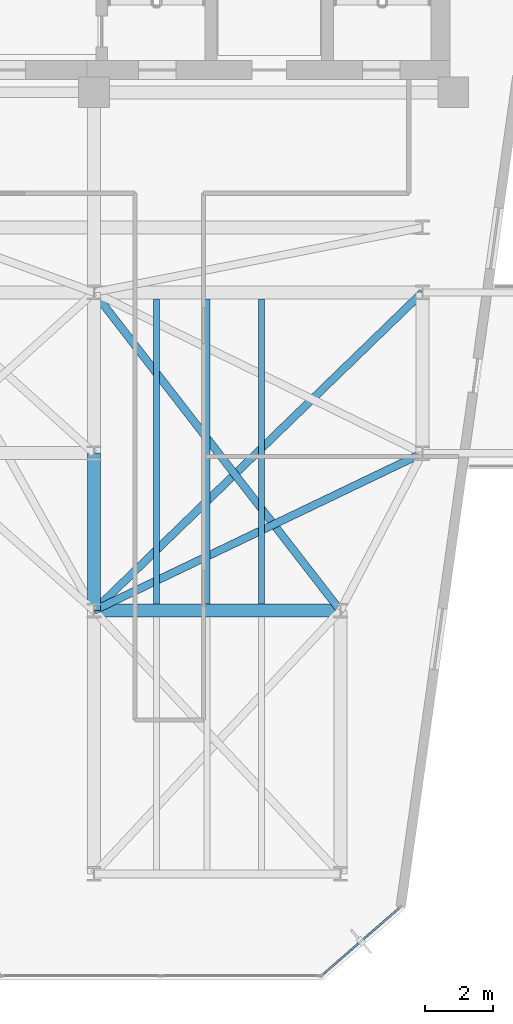
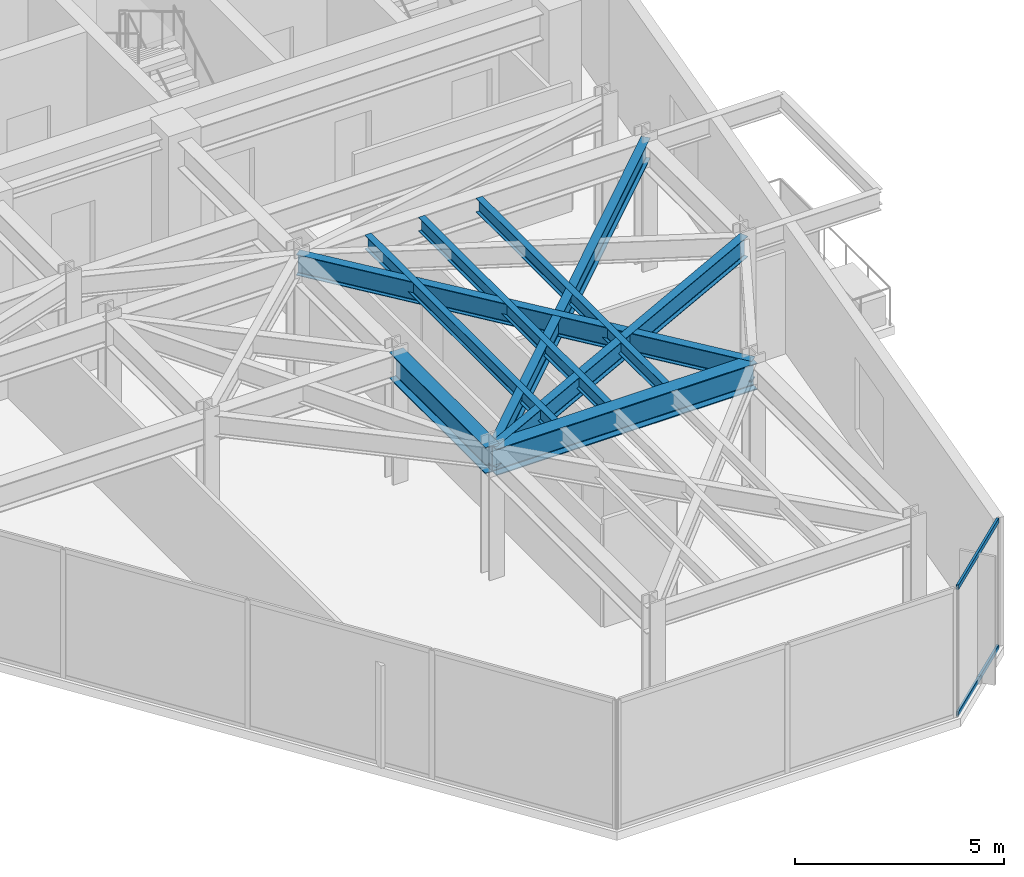
# One storey, part 19 of 26: 8 beams, 2 members, 1 element without a shape of its own.
"""IFC4 building model written with IfcOpenShell, lengths in metres."""

from ifc_helpers import new_model, si_unit, direction, frame, origin, origin_2d, place, context, subcontext, project, spatial, hollow_rectangle, i_section, extrude, material, layer, layer_set, material_profile, profile_set, type_object, element, aggregate, save


model = new_model("IFC4")

# Units and contexts
model_context = context("Model", 3, precision=1e-05, world=origin(), true_north=direction((0.0, 1.0)))
body_context = subcontext(model_context, "Body", "Model", "MODEL_VIEW")
ifc_project = project(units=[si_unit("LENGTHUNIT", "METRE"), si_unit("AREAUNIT", "SQUARE_METRE"), si_unit("VOLUMEUNIT", "CUBIC_METRE"), si_unit("PLANEANGLEUNIT", "RADIAN"), si_unit("MASSUNIT", "GRAM", prefix="KILO")], contexts=[model_context])

# Site, building, storey
site_placement = place(None, origin())
site = spatial("IfcSite", under=ifc_project, at=site_placement, CompositionType="ELEMENT")
building_placement = place(site_placement, origin())
building = spatial("IfcBuilding", under=site, at=building_placement, Name="Kravanh Interchange Tower", CompositionType="ELEMENT")
storey_placement = place(building_placement, frame((0.0, 0.0, 180.5)))
storey = spatial("IfcBuildingStorey", under=building, at=storey_placement, Name="L43", CompositionType="ELEMENT", Elevation=180.5)

# Curtain wall, members
ifc_material_1 = material(Name="Anodised Bronze Aluminium", Category="aluminium")
ifc_layer = layer(ifc_material_1, 0.179931640625)
ifc_layer_set = layer_set([ifc_layer], Name="Unitised Curtain Wall System CW-Z3 Upper Office")
curtain_wall_type = type_object("IfcCurtainWallType", Name="Unitised Curtain Wall System CW-Z3 Upper Office", PredefinedType="NOTDEFINED", material=ifc_layer_set)
curtain_wall_placement = place(storey_placement, origin())
curtain_wall = element("IfcCurtainWall", 1, at=curtain_wall_placement, inside=storey, type_object=curtain_wall_type, Name="L43 Unitised Curtain Wall CW-L43-02", PredefinedType="NOTDEFINED")
ifc_material_2 = material(Name="Anodised Bronze Aluminium", Category="aluminium")
ifc_material_profile_1 = material_profile(ifc_material_2, hollow_rectangle(XDim=0.06005859375, YDim=0.139892578125, WallThickness=0.00390625, at=origin_2d()), Name="ALU60X140X4")
ifc_profile_set_1 = profile_set([ifc_material_profile_1], Name="Anodised Bronze Aluminium")
member_type = type_object("IfcMemberType", Name="Curtain Wall Transom ALU60X140X4 Bronze", PredefinedType="USERDEFINED", material=ifc_profile_set_1)
member_1_placement = place(storey_placement, frame((64.92041015625, 13.501220703125, 0.030029296875), z_axis=(-0.754744002238, -0.656019428893, 0.0), x_axis=(0.656019428893, -0.754744002238, 0.0)))
member_1 = element("IfcMember", 2, at=member_1_placement, type_object=member_type, Name="CW-Z3 transom 1.1", ObjectType="TRANSOM", PredefinedType="USERDEFINED", context=body_context, shape_type="SweptSolid", body=[
    extrude(hollow_rectangle(XDim=0.06005859375, YDim=0.139892578125, WallThickness=0.00390625, at=origin_2d()), origin(), (0.0, 0.0, 1.0), 2.960205078125),
])
member_2_placement = place(storey_placement, frame((64.92041015625, 13.501220703125, 3.72509765625), z_axis=(-0.754744002238, -0.656019428893, 0.0), x_axis=(0.656019428893, -0.754744002238, 0.0)))
member_2 = element("IfcMember", 3, at=member_2_placement, type_object=member_type, Name="CW-Z3 transom 1.2", ObjectType="TRANSOM", PredefinedType="USERDEFINED", context=body_context, shape_type="SweptSolid", body=[
    extrude(hollow_rectangle(XDim=0.06005859375, YDim=0.139892578125, WallThickness=0.00390625, at=origin_2d()), origin(), (0.0, 0.0, 1.0), 2.960205078125),
])
aggregate(curtain_wall, [member_1, member_2])

# Beams
ifc_material_3 = material(Name="Structural Steel S355", Category="steel")
ifc_material_profile_2 = material_profile(ifc_material_3, i_section(OverallWidth=0.381103515625, OverallDepth=0.77294921875, WebThickness=0.0166015625, FlangeThickness=0.027099609375, FilletRadius=0.02490234375, at=origin_2d()), Name="W30X173")
ifc_profile_set_2 = profile_set([ifc_material_profile_2], Name="Structural Steel S355")
beam_type_1 = type_object("IfcBeamType", Name="Floor Beam W30X173 Structural Steel S355", PredefinedType="BEAM", material=ifc_profile_set_2)
beam_1_placement = place(storey_placement, frame((56.0, 26.800048828125, 3.368408203125), z_axis=(0.0, -1.0, 0.0), x_axis=(1.0, 0.0, 0.0)))
element("IfcBeam", 4, at=beam_1_placement, inside=storey, type_object=beam_type_1, Name="L43 Primary Floor Girder 53", PredefinedType="BEAM", context=body_context, shape_type="SweptSolid", body=[
    extrude(i_section(OverallWidth=0.381103515625, OverallDepth=0.77294921875, WebThickness=0.0166015625, FlangeThickness=0.027099609375, FilletRadius=0.02490234375, at=origin_2d()), origin(), (0.0, 0.0, 1.0), 4.60009765625),
])
beam_2_placement = place(storey_placement, frame((56.0, 22.199951171875, 3.368408203125), z_axis=(1.0, 0.0, 0.0), x_axis=(0.0, 1.0, 0.0)))
element("IfcBeam", 5, at=beam_2_placement, inside=storey, type_object=beam_type_1, Name="L43 Primary Floor Girder 92", PredefinedType="BEAM", context=body_context, shape_type="SweptSolid", body=[
    extrude(i_section(OverallWidth=0.381103515625, OverallDepth=0.77294921875, WebThickness=0.0166015625, FlangeThickness=0.027099609375, FilletRadius=0.02490234375, at=origin_2d()), origin(), (0.0, 0.0, 1.0), 7.199951171875),
])
ifc_material_4 = material(Name="Structural Steel S355", Category="steel")
ifc_material_profile_3 = material_profile(ifc_material_4, i_section(OverallWidth=0.177978515625, OverallDepth=0.406005859375, WebThickness=0.0078125, FlangeThickness=0.0126953125, FilletRadius=0.01611328125, at=origin_2d()), Name="W16X40")
ifc_profile_set_3 = profile_set([ifc_material_profile_3], Name="Structural Steel S355")
beam_type_2 = type_object("IfcBeamType", Name="Floor Joist W16X40 Structural Steel S355", PredefinedType="JOIST", material=ifc_profile_set_3)
for number, where, z_axis, x_axis, name in (
    (6, (57.830078125, 22.385498046875, 3.552001953125), (0.0, 1.0, 0.0), (-1.0, 0.0, 0.0), "L43 Secondary Floor Joist 10"),
    (7, (59.304931640625, 22.385498046875, 3.552001953125), (0.0, 1.0, 0.0), (-1.0, 0.0, 0.0), "L43 Secondary Floor Joist 11"),
    (8, (60.89794921875, 22.385498046875, 3.552001953125), (0.0, 1.0, 0.0), (-1.0, 0.0, 0.0), "L43 Secondary Floor Joist 12"),
):
    element("IfcBeam", number, at=place(storey_placement, frame(where, z_axis=z_axis, x_axis=x_axis)), inside=storey, type_object=beam_type_2, Name=name, PredefinedType="JOIST", context=body_context, shape_type="SweptSolid", body=[
        extrude(i_section(OverallWidth=0.177978515625, OverallDepth=0.406005859375, WebThickness=0.0078125, FlangeThickness=0.0126953125, FilletRadius=0.01611328125, at=origin_2d()), origin(), (0.0, 0.0, 1.0), 8.928955078125),
    ])
ifc_material_5 = material(Name="Structural Steel S355", Category="steel")
ifc_material_profile_4 = material_profile(ifc_material_5, i_section(OverallWidth=0.22802734375, OverallDepth=0.60791015625, WebThickness=0.01123046875, FlangeThickness=0.017333984375, FilletRadius=0.02197265625, at=origin_2d()), Name="W24X76")
ifc_profile_set_4 = profile_set([ifc_material_profile_4], Name="Structural Steel S355")
beam_type_3 = type_object("IfcBeamType", Name="Floor Spandrel W24X76 Structural Steel S355", PredefinedType="SPANDREL", material=ifc_profile_set_4)
beam_3_placement = place(storey_placement, frame((65.60009765625, 26.800048828125, 3.450927734375), z_axis=(-0.901814166789, -0.432124066188, 0.0), x_axis=(0.432124066188, -0.901814166789, 0.0)))
element("IfcBeam", 9, at=beam_3_placement, inside=storey, type_object=beam_type_3, Name="L43 Perimeter Spandrel 59", PredefinedType="SPANDREL", context=body_context, shape_type="SweptSolid", body=[
    extrude(i_section(OverallWidth=0.22802734375, OverallDepth=0.60791015625, WebThickness=0.01123046875, FlangeThickness=0.017333984375, FilletRadius=0.02197265625, at=origin_2d()), origin(), (0.0, 0.0, 1.0), 10.645263671875),
])
beam_4_placement = place(storey_placement, frame((56.0, 31.5, 3.450927734375), z_axis=(0.612168587637, -0.790727273028, 0.0), x_axis=(0.790727273028, 0.612168587637, 0.0)))
element("IfcBeam", 10, at=beam_4_placement, inside=storey, type_object=beam_type_3, Name="L43 Perimeter Spandrel 83", PredefinedType="SPANDREL", context=body_context, shape_type="SweptSolid", body=[
    extrude(i_section(OverallWidth=0.22802734375, OverallDepth=0.60791015625, WebThickness=0.01123046875, FlangeThickness=0.017333984375, FilletRadius=0.02197265625, at=origin_2d()), origin(), (0.0, 0.0, 1.0), 11.761474609375),
])
beam_5_placement = place(storey_placement, frame((65.60009765625, 31.5, 3.450927734375), z_axis=(-0.718241934329, -0.695793449072, 0.0), x_axis=(0.695793449072, -0.718241934329, 0.0)))
element("IfcBeam", 11, at=beam_5_placement, inside=storey, type_object=beam_type_3, Name="L43 Perimeter Spandrel 85", PredefinedType="SPANDREL", context=body_context, shape_type="SweptSolid", body=[
    extrude(i_section(OverallWidth=0.22802734375, OverallDepth=0.60791015625, WebThickness=0.01123046875, FlangeThickness=0.017333984375, FilletRadius=0.02197265625, at=origin_2d()), origin(), (0.0, 0.0, 1.0), 13.3662109375),
])

save(model, "model.ifc")
